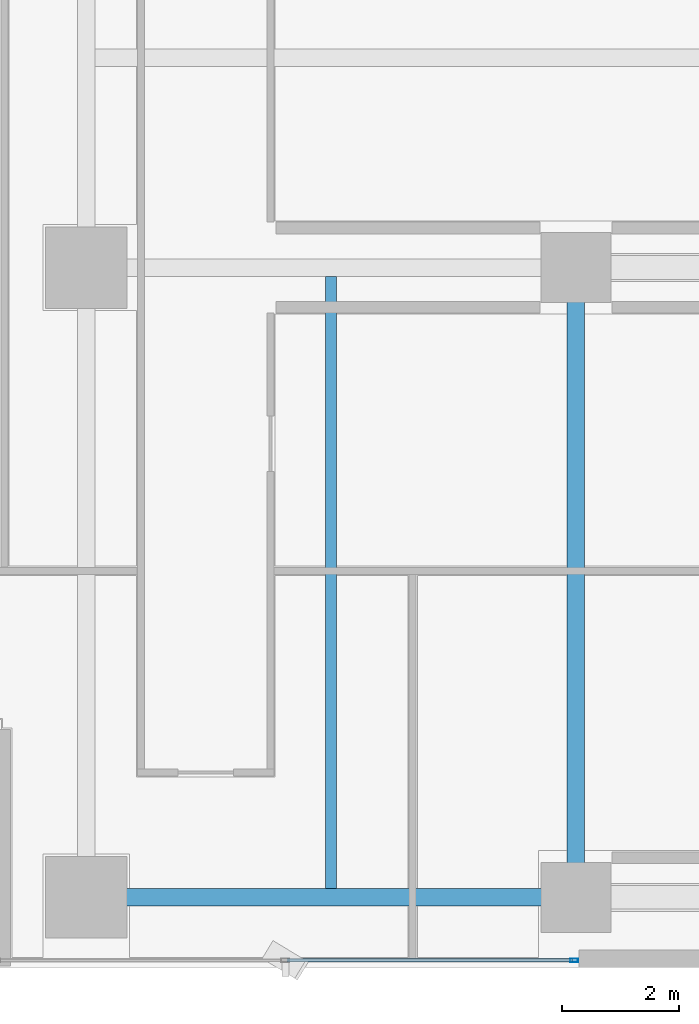
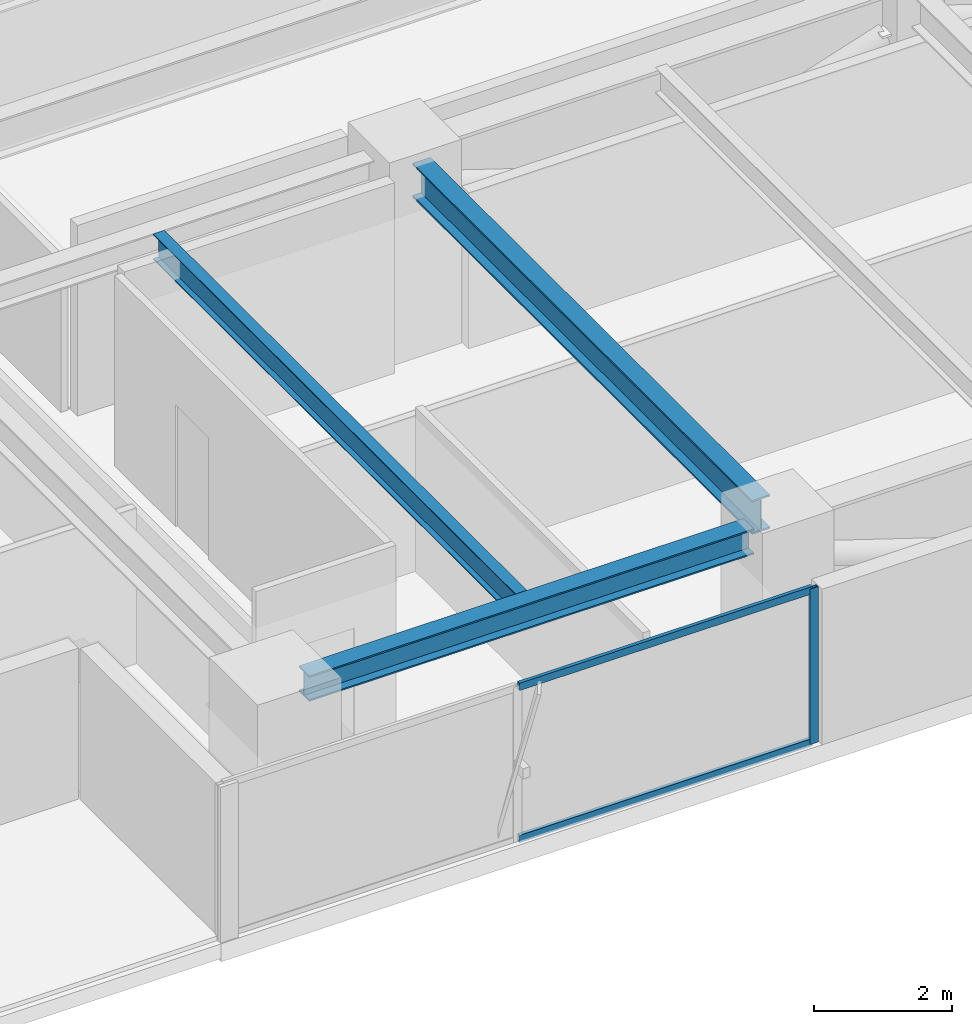
# One storey, part 3 of 27: 3 beams, 3 members, 1 element without a shape of its own.
"""IFC4 building model written with IfcOpenShell, lengths in metres."""

from ifc_helpers import new_model, si_unit, direction, frame, origin, origin_2d, place, context, subcontext, project, spatial, hollow_rectangle, i_section, extrude, source, transform, mapped, material, layer, layer_set, material_profile, profile_set, type_object, element, aggregate, save


model = new_model("IFC4")

# Units and contexts
model_context = context("Model", 3, precision=1e-05, world=origin(), true_north=direction((0.0, 1.0)))
body_context = subcontext(model_context, "Body", "Model", "MODEL_VIEW")
ifc_project = project(units=[si_unit("LENGTHUNIT", "METRE"), si_unit("AREAUNIT", "SQUARE_METRE"), si_unit("VOLUMEUNIT", "CUBIC_METRE"), si_unit("PLANEANGLEUNIT", "RADIAN"), si_unit("MASSUNIT", "GRAM", prefix="KILO")], contexts=[model_context])

# Site, building, storey
site_placement = place(None, origin())
site = spatial("IfcSite", under=ifc_project, at=site_placement, CompositionType="ELEMENT")
building_placement = place(site_placement, origin())
building = spatial("IfcBuilding", under=site, at=building_placement, Name="Sumidabori Civic Tower", CompositionType="ELEMENT")
storey_placement = place(building_placement, frame((0.0, 0.0, 228.800048828125)))
storey = spatial("IfcBuildingStorey", under=building, at=storey_placement, Name="L59", CompositionType="ELEMENT", Elevation=228.800048828125)

# Beams
ifc_material_1 = material(Name="Steel SN490", Category="steel")
ifc_material_profile_1 = material_profile(ifc_material_1, i_section(OverallWidth=0.300048828125, OverallDepth=0.60009765625, WebThickness=0.015380859375, FlangeThickness=0.030029296875, at=origin_2d()), Name="HE 600 B")
ifc_profile_set_1 = profile_set([ifc_material_profile_1], Name="Steel SN490")
beam_type_1 = type_object("IfcBeamType", Name="BM-GIRD-600", PredefinedType="BEAM", material=ifc_profile_set_1)
shared_shape_1 = source(origin(), body_context, "Body", "SweptSolid", [
    extrude(i_section(OverallWidth=0.300048828125, OverallDepth=0.60009765625, WebThickness=0.015380859375, FlangeThickness=0.030029296875, at=origin_2d()), origin(), (0.0, 0.0, 1.0), 9.840087890625),
])
beam_1_placement = place(storey_placement, frame((-8.39990234375, -10.320068359375, 3.070068359375), z_axis=(0.0, 1.0, 0.0), x_axis=(-1.0, 0.0, 0.0)))
element("IfcBeam", 1, at=beam_1_placement, inside=storey, type_object=beam_type_1, Name="Primary Girder L59 GY-08", PredefinedType="BEAM", context=body_context, shape_type="MappedRepresentation", body=[
    mapped(shared_shape_1, transform((0.0, 0.0, 0.0), x_axis=(1.0, 0.0, 0.0), y_axis=(0.0, 1.0, 0.0), z_axis=(0.0, 0.0, 1.0), scale=1.0)),
])
ifc_material_profile_2 = material_profile(ifc_material_1, i_section(OverallWidth=0.300048828125, OverallDepth=0.449951171875, WebThickness=0.013916015625, FlangeThickness=0.02587890625, at=origin_2d()), Name="HE 450 B")
ifc_profile_set_2 = profile_set([ifc_material_profile_2], Name="Steel SN490")
beam_type_2 = type_object("IfcBeamType", Name="BM-GIRD-450", PredefinedType="BEAM", material=ifc_profile_set_2)
shared_shape_2 = source(origin(), body_context, "Body", "SweptSolid", [
    extrude(i_section(OverallWidth=0.300048828125, OverallDepth=0.449951171875, WebThickness=0.013916015625, FlangeThickness=0.02587890625, at=origin_2d()), origin(), (0.0, 0.0, 1.0), 7.440185546875),
])
beam_2_placement = place(storey_placement, frame((-16.320068359375, -10.800048828125, 3.14501953125), z_axis=(1.0, 0.0, 0.0), x_axis=(0.0, 1.0, 0.0)))
element("IfcBeam", 2, at=beam_2_placement, inside=storey, type_object=beam_type_2, Name="Primary Girder L59 GX-01", PredefinedType="BEAM", context=body_context, shape_type="MappedRepresentation", body=[
    mapped(shared_shape_2, transform((0.0, 0.0, 0.0), x_axis=(1.0, 0.0, 0.0), y_axis=(0.0, 1.0, 0.0), z_axis=(0.0, 0.0, 1.0), scale=1.0)),
])
ifc_material_profile_3 = material_profile(ifc_material_1, i_section(OverallWidth=0.18994140625, OverallDepth=0.449951171875, WebThickness=0.009521484375, FlangeThickness=0.0146484375, at=origin_2d()), Name="IPE 450")
ifc_profile_set_3 = profile_set([ifc_material_profile_3], Name="Steel SN490")
beam_type_3 = type_object("IfcBeamType", Name="BM-JST-450", PredefinedType="JOIST", material=ifc_profile_set_3)
shared_shape_3 = source(origin(), body_context, "Body", "SweptSolid", [
    extrude(i_section(OverallWidth=0.18994140625, OverallDepth=0.449951171875, WebThickness=0.009521484375, FlangeThickness=0.0146484375, at=origin_2d()), origin(), (0.0, 0.0, 1.0), 10.5),
])
beam_3_placement = place(storey_placement, frame((-12.60009765625, -10.64990234375, 3.14501953125), z_axis=(0.0, 1.0, 0.0), x_axis=(-1.0, 0.0, 0.0)))
element("IfcBeam", 3, at=beam_3_placement, inside=storey, type_object=beam_type_3, Name="Upper Lens N-S Floor Joist L59 JSTV-16", PredefinedType="JOIST", context=body_context, shape_type="MappedRepresentation", body=[
    mapped(shared_shape_3, transform((0.0, 0.0, 0.0), x_axis=(1.0, 0.0, 0.0), y_axis=(0.0, 1.0, 0.0), z_axis=(0.0, 0.0, 1.0), scale=1.0)),
])

# Curtain wall, members
ifc_material_2 = material(Name="Anodised Bronze Aluminium AW-6063-T6", Category="aluminium")
ifc_layer = layer(ifc_material_2, 0.179931640625, Name="Anodised Bronze Aluminium AW-6063-T6")
ifc_layer_set = layer_set([ifc_layer], Name="Anodised Bronze Aluminium AW-6063-T6")
curtain_wall_type = type_object("IfcCurtainWallType", Name="CW-SYS-5", PredefinedType="NOTDEFINED", material=ifc_layer_set)
curtain_wall_placement = place(storey_placement, origin())
curtain_wall = element("IfcCurtainWall", 4, at=curtain_wall_placement, inside=storey, type_object=curtain_wall_type, Name="Curtain Wall CW:L59:R01", PredefinedType="NOTDEFINED")
ifc_material_profile_4 = material_profile(ifc_material_2, hollow_rectangle(XDim=0.06005859375, YDim=0.139892578125, WallThickness=0.0048828125, at=origin_2d()), Name="ALU MULLION 140x60")
ifc_profile_set_4 = profile_set([ifc_material_profile_4], Name="Anodised Bronze Aluminium AW-6063-T6")
member_type_1 = type_object("IfcMemberType", Name="CW-MUL-140", PredefinedType="MULLION", material=ifc_profile_set_4)
shared_shape_4 = source(origin(), body_context, "Body", "SweptSolid", [
    extrude(hollow_rectangle(XDim=0.06005859375, YDim=0.139892578125, WallThickness=0.0048828125, at=origin_2d()), origin(), (0.0, 0.0, 1.0), 2.75),
])
member_1_placement = place(storey_placement, frame((-8.429931640625, -11.8798828125, 0.0), z_axis=(0.0, 0.0, 1.0), x_axis=(0.0, 1.0, 0.0)))
member_1 = element("IfcMember", 5, at=member_1_placement, type_object=member_type_1, Name="CW-5 mullion 3", PredefinedType="MULLION", context=body_context, shape_type="MappedRepresentation", body=[
    mapped(shared_shape_4, transform((0.0, 0.0, 0.0), x_axis=(1.0, 0.0, 0.0), y_axis=(0.0, 1.0, 0.0), z_axis=(0.0, 0.0, 1.0), scale=1.0)),
])
ifc_material_profile_5 = material_profile(ifc_material_2, hollow_rectangle(XDim=0.06005859375, YDim=0.1298828125, WallThickness=0.0048828125, at=origin_2d()), Name="ALU TRANSOM 130x60")
ifc_profile_set_5 = profile_set([ifc_material_profile_5], Name="Anodised Bronze Aluminium AW-6063-T6")
member_type_2 = type_object("IfcMemberType", Name="CW-TRN-130", PredefinedType="USERDEFINED", material=ifc_profile_set_5)
shared_shape_5 = source(origin(), body_context, "Body", "SweptSolid", [
    extrude(hollow_rectangle(XDim=0.06005859375, YDim=0.1298828125, WallThickness=0.0048828125, at=origin_2d()), origin(), (0.0, 0.0, 1.0), 4.89501953125),
])
member_2_placement = place(storey_placement, frame((-13.35498046875, -11.8798828125, 0.030029296875), z_axis=(1.0, 0.0, 0.0), x_axis=(0.0, 1.0, 0.0)))
member_2 = element("IfcMember", 6, at=member_2_placement, type_object=member_type_2, Name="CW-5 transom 2.1", ObjectType="TRANSOM", PredefinedType="USERDEFINED", context=body_context, shape_type="MappedRepresentation", body=[
    mapped(shared_shape_5, transform((0.0, 0.0, 0.0), x_axis=(1.0, 0.0, 0.0), y_axis=(0.0, 1.0, 0.0), z_axis=(0.0, 0.0, 1.0), scale=1.0)),
])
member_3_placement = place(storey_placement, frame((-13.35498046875, -11.8798828125, 2.719970703125), z_axis=(1.0, 0.0, 0.0), x_axis=(0.0, 1.0, 0.0)))
member_3 = element("IfcMember", 7, at=member_3_placement, type_object=member_type_2, Name="CW-5 transom 2.2", ObjectType="TRANSOM", PredefinedType="USERDEFINED", context=body_context, shape_type="MappedRepresentation", body=[
    mapped(shared_shape_5, transform((0.0, 0.0, 0.0), x_axis=(1.0, 0.0, 0.0), y_axis=(0.0, 1.0, 0.0), z_axis=(0.0, 0.0, 1.0), scale=1.0)),
])
aggregate(curtain_wall, [member_1, member_2, member_3])

save(model, "model.ifc")
